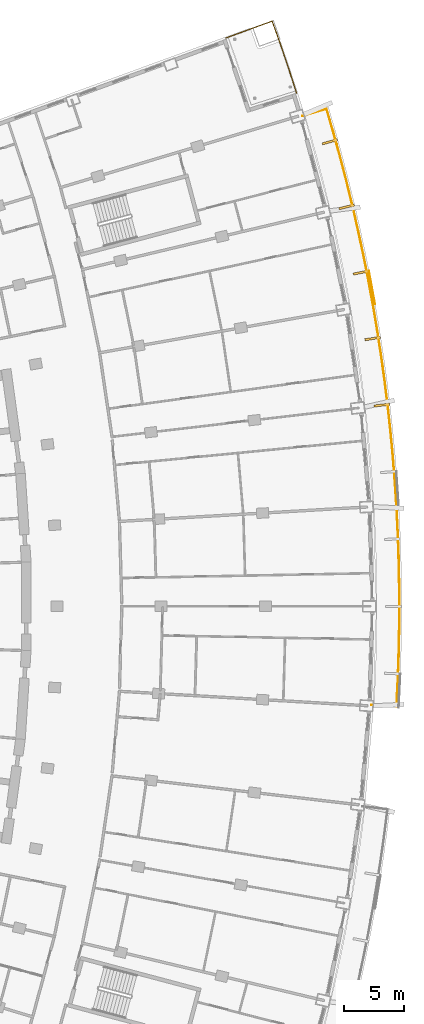
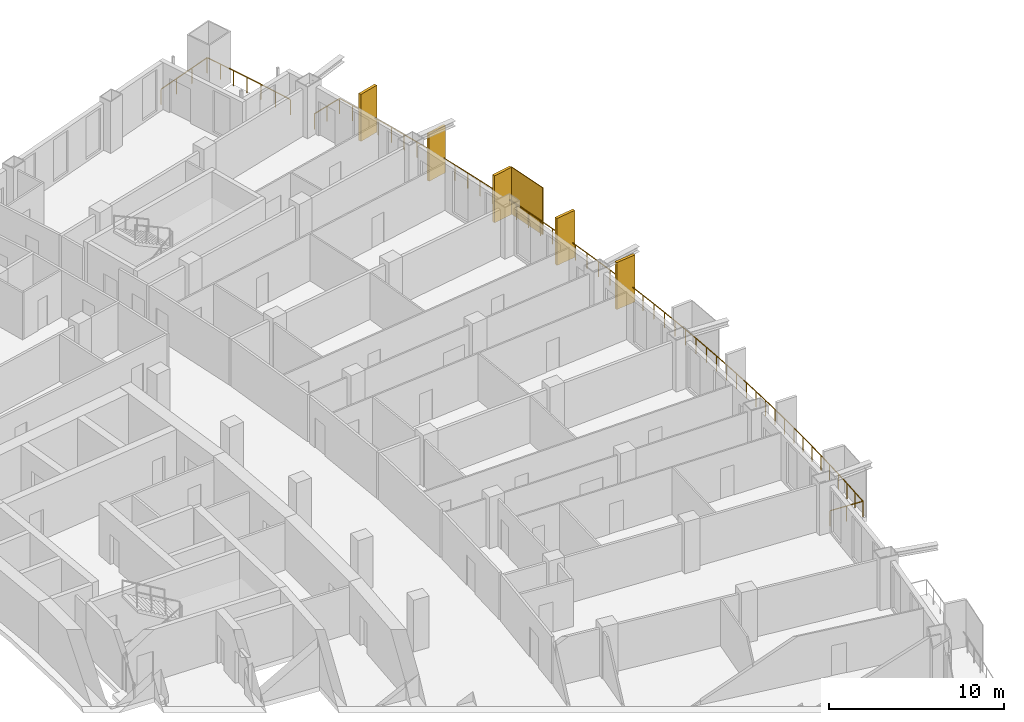
# One storey, part 25 of 25: 6 shading devices, 2 railings.
"""IFC4 building model written with IfcOpenShell, lengths in metres."""

import ifcopenshell
import ifcopenshell.guid

model = None  # the IFC model being written
_history = None  # IfcOwnerHistory: only IFC2X3 demands one
_inside = {}  # id of a spatial element -> (the spatial element, [elements in it])
_under = {}  # id of a project, library or spatial element -> (it, [spatial elements below it])
_declared = {}  # id of a project -> (the project, [libraries it declares])
_typed = {}  # id of a type object -> (the type object, [elements of that type])
_made_of = {}  # id of a material, layer set ... -> (it, [elements and type objects made of it])


def new_model(schema):
    """Start an empty IFC model of exactly this schema.

    Asked for "IFC4X3", IfcOpenShell would pick the latest addendum, in which some entities
    have other attributes; the version numbers below select the first issue.
    IFC2X3 requires an IfcOwnerHistory on every rooted entity: one is made here for all.
    """
    global model, _history
    if schema == "IFC4X3":
        model = ifcopenshell.file(schema_version=(4, 3, 0, 0))
    else:
        model = ifcopenshell.file(schema=schema)
    _inside.clear()
    _under.clear()
    _declared.clear()
    _typed.clear()
    _made_of.clear()
    _history = None
    if model.schema == "IFC2X3":
        org = make("IfcOrganization", Name="unknown")
        user = make(
            "IfcPersonAndOrganization",
            ThePerson=make("IfcPerson", FamilyName="unknown"),
            TheOrganization=org,
        )
        app = make(
            "IfcApplication",
            ApplicationDeveloper=org,
            Version="unknown",
            ApplicationFullName="unknown",
            ApplicationIdentifier="unknown",
        )
        _history = make(
            "IfcOwnerHistory",
            OwningUser=user,
            OwningApplication=app,
            ChangeAction="ADDED",
            CreationDate=0,
        )
    return model


def make(cls, **values):
    """One entity of the class cls with the attributes given. An attribute that is None is left unset."""
    return model.create_entity(
        cls, **{name: value for name, value in values.items() if value is not None}
    )


def rooted(cls, **values):
    """An entity with a GlobalId (a new one), such as an element, a storey or a relation."""
    return make(cls, GlobalId=ifcopenshell.guid.new(), OwnerHistory=_history, **values)


def si_unit(unit_type, name, prefix=None):
    """IfcSIUnit, for example si_unit("LENGTHUNIT", "METRE", prefix="MILLI")."""
    return make("IfcSIUnit", UnitType=unit_type, Prefix=prefix, Name=name)


def assignment(units):
    """IfcUnitAssignment: the units of a project."""
    return None if units is None else make("IfcUnitAssignment", Units=units)


def point(xyz):
    """IfcCartesianPoint."""
    return None if xyz is None else make("IfcCartesianPoint", Coordinates=xyz)


def direction(xyz):
    """IfcDirection."""
    return None if xyz is None else make("IfcDirection", DirectionRatios=xyz)


def frame(location, z_axis=None, x_axis=None):
    """IfcAxis2Placement3D, a coordinate frame: its origin and axes. An axis left out is left unset."""
    return make(
        "IfcAxis2Placement3D",
        Location=point(location),
        Axis=direction(z_axis),
        RefDirection=direction(x_axis),
    )


def frame_2d(location, x_axis=None):
    """IfcAxis2Placement2D, a coordinate frame in the plane: its origin and x axis."""
    return make(
        "IfcAxis2Placement2D", Location=point(location), RefDirection=direction(x_axis)
    )


def origin():
    """The frame at (0, 0, 0) with its axes left unset."""
    return frame((0.0, 0.0, 0.0))


def origin_2d():
    """The frame at (0, 0) in the plane with its x axis left unset."""
    return frame_2d((0.0, 0.0))


def place(relative_to, where):
    """IfcLocalPlacement: puts the frame where relative to a parent placement (None: the world)."""
    return make(
        "IfcLocalPlacement", PlacementRelTo=relative_to, RelativePlacement=where
    )


def context(
    kind, dimensions, precision=None, world=None, true_north=None, identifier=None
):
    """IfcGeometricRepresentationContext, for example the 3D "Model" context."""
    return make(
        "IfcGeometricRepresentationContext",
        ContextIdentifier=identifier,
        ContextType=kind,
        CoordinateSpaceDimension=dimensions,
        Precision=precision,
        WorldCoordinateSystem=world,
        TrueNorth=true_north,
    )


def subcontext(parent, identifier, kind, view, scale=None):
    """IfcGeometricRepresentationSubContext, for example "Body" below "Model"."""
    return make(
        "IfcGeometricRepresentationSubContext",
        ContextIdentifier=identifier,
        ContextType=kind,
        ParentContext=parent,
        TargetScale=scale,
        TargetView=view,
    )


def project(units=None, contexts=None):
    """IfcProject with its units and contexts."""
    return rooted(
        "IfcProject",
        Name="project",
        RepresentationContexts=contexts,
        UnitsInContext=assignment(units),
    )


def spatial(cls, under=None, at=None, **own):
    """A site, building, storey or space (cls), placed at a placement, below another one or the project."""
    s = rooted(cls, ObjectPlacement=at, **own)
    if under is not None:
        _under.setdefault(under.id(), (under, []))[1].append(s)
    return s


def profile(cls, at=None, kind="AREA", **sizes):
    """A parametric profile (cls). Its sizes go by their IFC names, for example OverallWidth=200.0."""
    return make(cls, ProfileType=kind, Position=at, **sizes)


def rectangle(**sizes):
    """IfcRectangleProfileDef."""
    return profile("IfcRectangleProfileDef", **sizes)


def extrude(swept, where, along, depth):
    """IfcExtrudedAreaSolid: the profile swept, set in the frame where, extruded along a direction by depth."""
    return make(
        "IfcExtrudedAreaSolid",
        SweptArea=swept,
        Position=where,
        ExtrudedDirection=direction(along),
        Depth=depth,
    )


def shape(context_of_items, identifier, shape_type, items):
    """IfcShapeRepresentation: the items that make up one representation, for example the "Body"."""
    return make(
        "IfcShapeRepresentation",
        ContextOfItems=context_of_items,
        RepresentationIdentifier=identifier,
        RepresentationType=shape_type,
        Items=items,
    )


def material(Name=None, Category=None):
    """IfcMaterial."""
    return make("IfcMaterial", Name=Name, Category=Category)


def layer(
    of_material, thickness, ventilated=None, Name=None, Category=None, Priority=None
):
    """IfcMaterialLayer: one layer of a wall or slab, of a material (None: an air gap)."""
    return make(
        "IfcMaterialLayer",
        Material=of_material,
        LayerThickness=thickness,
        IsVentilated=ventilated,
        Name=Name,
        Category=Category,
        Priority=Priority,
    )


def layer_set(layers, Name=None):
    """IfcMaterialLayerSet."""
    return make("IfcMaterialLayerSet", MaterialLayers=layers, LayerSetName=Name)


def made_of(thing, what):
    """Note that an element or type object is made of a material, layer set ...; save() writes the relation."""
    if what is not None:
        _made_of.setdefault(what.id(), (what, []))[1].append(thing)
    return thing


def type_object(cls, material=None, **own):
    """A type object (cls), such as IfcWallType, which elements share."""
    return made_of(rooted(cls, **own), material)


def element(
    cls,
    number,
    at=None,
    inside=None,
    cuts=None,
    type_object=None,
    material=None,
    context=None,
    identifier="Body",
    shape_type=None,
    held_by="IfcProductDefinitionShape",
    body=None,
    shapes=None,
    **own,
):
    """One element of the class cls, such as IfcWall. Its Tag is "e" and its number.

    at: its placement. inside: the storey or other place that contains it. cuts: it is an
    opening in that element (IfcRelVoidsElement). A single representation is given by context,
    identifier, shape_type and body (its items); several are given by shapes. held_by: the class
    of the entity that holds the representations. save() writes the other relations.
    """
    e = rooted(cls, Tag="e%d" % number, ObjectPlacement=at, **own)
    if body is not None:
        shapes = [shape(context, identifier, shape_type, body)]
    if shapes is not None:
        e.Representation = make(held_by, Representations=shapes)
    if inside is not None:
        _inside.setdefault(inside.id(), (inside, []))[1].append(e)
    if cuts is not None:
        rooted(
            "IfcRelVoidsElement", RelatingBuildingElement=cuts, RelatedOpeningElement=e
        )
    if type_object is not None:
        _typed.setdefault(type_object.id(), (type_object, []))[1].append(e)
    return made_of(e, material)


def aggregate(whole, parts):
    """IfcRelAggregates: a whole, such as a stair, and the parts it consists of."""
    return rooted("IfcRelAggregates", RelatingObject=whole, RelatedObjects=parts)


def save(model, path):
    """Write the relations noted so far, then the file.

    IfcRelAggregates (storeys below a building ...), IfcRelContainedInSpatialStructure (elements
    in a storey), IfcRelDefinesByType, IfcRelAssociatesMaterial and IfcRelDeclares: one each for
    every whole, place, type object, material and project.
    """
    for whole, parts in _under.values():
        aggregate(whole, parts)
    for where, things in _inside.values():
        rooted(
            "IfcRelContainedInSpatialStructure",
            RelatedElements=things,
            RelatingStructure=where,
        )
    for kind, things in _typed.values():
        rooted("IfcRelDefinesByType", RelatedObjects=things, RelatingType=kind)
    for what, things in _made_of.values():
        rooted("IfcRelAssociatesMaterial", RelatedObjects=things, RelatingMaterial=what)
    for by, libraries in _declared.values():
        rooted("IfcRelDeclares", RelatingContext=by, RelatedDefinitions=libraries)
    model.write(path)


model = new_model("IFC4")

# Units and contexts
model_context = context("Model", 3, precision=1e-05, world=origin(), true_north=direction((0.0, 1.0)))
body_context = subcontext(model_context, "Body", "Model", "MODEL_VIEW")
ifc_project = project(units=[si_unit("LENGTHUNIT", "METRE"), si_unit("AREAUNIT", "SQUARE_METRE"), si_unit("VOLUMEUNIT", "CUBIC_METRE"), si_unit("PLANEANGLEUNIT", "RADIAN"), si_unit("MASSUNIT", "GRAM", prefix="KILO")], contexts=[model_context])

# Site, building, storey
site_placement = place(None, origin())
site = spatial("IfcSite", under=ifc_project, at=site_placement, CompositionType="ELEMENT")
building_placement = place(site_placement, origin())
building = spatial("IfcBuilding", under=site, at=building_placement, Name="Alderwake Tower", CompositionType="ELEMENT")
storey_placement = place(building_placement, frame((0.0, 0.0, 86.0)))
storey = spatial("IfcBuildingStorey", under=building, at=storey_placement, Name="L20", CompositionType="ELEMENT", Elevation=86.0)

# Railings
ifc_material_1 = material(Name="Stainless steel 316 rail and posts", Category="steel")
railing_type = type_object("IfcRailingType", Name="Balcony guard 1100", PredefinedType="GUARDRAIL", material=ifc_material_1)
railing_1_placement = place(storey_placement, frame((61.9638671875, 52.80810546875, 0.0)))
element("IfcRailing", 1, at=railing_1_placement, inside=storey, type_object=railing_type, Name="Guard BF06", PredefinedType="GUARDRAIL", context=body_context, shape_type="SweptSolid", body=[
    extrude(rectangle(XDim=0.048095703125, YDim=0.048095703125, at=origin_2d()), frame((0.0, 0.0, 1.076171875), z_axis=(0.998335953918, -0.057665614667, 0.0), x_axis=(0.057665614667, 0.998335953918, 0.0)), (0.0, 0.0, 1.0), 2.099853515625),
    extrude(rectangle(XDim=0.048095703125, YDim=0.048095703125, at=origin_2d()), frame((2.096435546875, -0.12109375, 1.076171875), z_axis=(0.050666548811, 0.998715625607, 0.0), x_axis=(-0.998715625607, 0.050666548811, 0.0)), (0.0, 0.0, 1.0), 2.004638671875),
    extrude(rectangle(XDim=0.048095703125, YDim=0.048095703125, at=origin_2d()), frame((2.197998046875, 1.880859375, 1.076171875), z_axis=(0.036432316563, 0.999336122788, 0.0), x_axis=(-0.999336122788, 0.036432316563, 0.0)), (0.0, 0.0, 1.0), 2.104248046875),
    extrude(rectangle(XDim=0.048095703125, YDim=0.048095703125, at=origin_2d()), frame((2.274658203125, 3.983642578125, 1.076171875), z_axis=(0.021925570375, 0.999759605787, 0.0), x_axis=(-0.999759605787, 0.021925570375, 0.0)), (0.0, 0.0, 1.0), 2.1044921875),
    extrude(rectangle(XDim=0.048095703125, YDim=0.048095703125, at=origin_2d()), frame((2.32080078125, 6.087646484375, 1.076171875), z_axis=(0.007309237393, 0.999973287168, 0.0), x_axis=(-0.999973287168, 0.007309237393, 0.0)), (0.0, 0.0, 1.0), 2.104248046875),
    extrude(rectangle(XDim=0.048095703125, YDim=0.048095703125, at=origin_2d()), frame((2.336181640625, 8.19189453125, 1.076171875), z_axis=(-0.007309237393, 0.999973287168, 0.0), x_axis=(-0.999973287168, -0.007309237393, 0.0)), (0.0, 0.0, 1.0), 2.104248046875),
    extrude(rectangle(XDim=0.048095703125, YDim=0.048095703125, at=origin_2d()), frame((2.32080078125, 10.296142578125, 1.076171875), z_axis=(-0.021925570375, 0.999759605787, 0.0), x_axis=(-0.999759605787, -0.021925570375, 0.0)), (0.0, 0.0, 1.0), 2.1044921875),
    extrude(rectangle(XDim=0.048095703125, YDim=0.048095703125, at=origin_2d()), frame((2.274658203125, 12.400146484375, 1.076171875), z_axis=(-0.036432316563, 0.999336122788, 0.0), x_axis=(-0.999336122788, -0.036432316563, 0.0)), (0.0, 0.0, 1.0), 2.104248046875),
    extrude(rectangle(XDim=0.048095703125, YDim=0.048095703125, at=origin_2d()), frame((2.197998046875, 14.5029296875, 1.076171875), z_axis=(-0.050932877851, 0.998702078677, 0.0), x_axis=(-0.998702078677, -0.050932877851, 0.0)), (0.0, 0.0, 1.0), 2.104248046875),
    extrude(rectangle(XDim=0.048095703125, YDim=0.048095703125, at=origin_2d()), frame((2.0908203125, 16.6044921875, 1.076171875), z_axis=(-0.065656675921, 0.99784227256, 0.0), x_axis=(-0.99784227256, -0.065656675921, 0.0)), (0.0, 0.0, 1.0), 2.104736328125),
    extrude(rectangle(XDim=0.048095703125, YDim=0.048095703125, at=origin_2d()), frame((1.95263671875, 18.70458984375, 1.076171875), z_axis=(-0.080058805511, 0.996790142237, 0.0), x_axis=(-0.996790142237, -0.080058805511, 0.0)), (0.0, 0.0, 1.0), 2.104248046875),
    extrude(rectangle(XDim=0.048095703125, YDim=0.048095703125, at=origin_2d()), frame((1.7841796875, 20.802001953125, 1.076171875), z_axis=(-0.094666747409, 0.995509019012, 0.0), x_axis=(-0.995509019012, -0.094666747409, 0.0)), (0.0, 0.0, 1.0), 2.1044921875),
    extrude(rectangle(XDim=0.048095703125, YDim=0.048095703125, at=origin_2d()), frame((1.5849609375, 22.89697265625, 1.076171875), z_axis=(-0.109170827012, 0.994023003018, 0.0), x_axis=(-0.994023003018, -0.109170827012, 0.0)), (0.0, 0.0, 1.0), 2.1044921875),
    extrude(rectangle(XDim=0.048095703125, YDim=0.048095703125, at=origin_2d()), frame((1.355224609375, 24.98876953125, 1.076171875), z_axis=(-0.123677740732, 0.992322435727, 0.0), x_axis=(-0.992322435727, -0.123677740732, 0.0)), (0.0, 0.0, 1.0), 2.104248046875),
    extrude(rectangle(XDim=0.048095703125, YDim=0.048095703125, at=origin_2d()), frame((1.094970703125, 27.076904296875, 1.076171875), z_axis=(-0.138058412224, 0.990424088365, 0.0), x_axis=(-0.990424088365, -0.138058412224, 0.0)), (0.0, 0.0, 1.0), 2.1044921875),
    extrude(rectangle(XDim=0.048095703125, YDim=0.048095703125, at=origin_2d()), frame((0.804443359375, 29.1611328125, 1.076171875), z_axis=(-0.152554066346, 0.988295126388, 0.0), x_axis=(-0.988295126388, -0.152554066346, 0.0)), (0.0, 0.0, 1.0), 2.1044921875),
    extrude(rectangle(XDim=0.048095703125, YDim=0.048095703125, at=origin_2d()), frame((0.4833984375, 31.240966796875, 1.076171875), z_axis=(-0.166957213464, 0.985964141778, 0.0), x_axis=(-0.985964141778, -0.166957213464, 0.0)), (0.0, 0.0, 1.0), 2.104248046875),
    extrude(rectangle(XDim=0.048095703125, YDim=0.048095703125, at=origin_2d()), frame((0.132080078125, 33.315673828125, 1.076171875), z_axis=(-0.181212626515, 0.983443940442, 0.0), x_axis=(-0.983443940442, -0.181212626515, 0.0)), (0.0, 0.0, 1.0), 2.1044921875),
    extrude(rectangle(XDim=0.048095703125, YDim=0.048095703125, at=origin_2d()), frame((-0.249267578125, 35.38525390625, 1.076171875), z_axis=(-0.195602960633, 0.980683170954, 0.0), x_axis=(-0.980683170954, -0.195602960633, 0.0)), (0.0, 0.0, 1.0), 2.1044921875),
    extrude(rectangle(XDim=0.048095703125, YDim=0.048095703125, at=origin_2d()), frame((-0.660888671875, 37.448974609375, 1.076171875), z_axis=(-0.209885633333, 0.977725943668, 0.0), x_axis=(-0.977725943668, -0.209885633333, 0.0)), (0.0, 0.0, 1.0), 2.104248046875),
    extrude(rectangle(XDim=0.048095703125, YDim=0.048095703125, at=origin_2d()), frame((-1.1025390625, 39.50634765625, 1.076171875), z_axis=(-0.224147692921, 0.974555186615, 0.0), x_axis=(-0.974555186615, -0.224147692921, 0.0)), (0.0, 0.0, 1.0), 2.104248046875),
    extrude(rectangle(XDim=0.048095703125, YDim=0.048095703125, at=origin_2d()), frame((-1.57421875, 41.55712890625, 1.076171875), z_axis=(-0.238302054277, 0.971191088781, 0.0), x_axis=(-0.971191088781, -0.238302054277, 0.0)), (0.0, 0.0, 1.0), 2.104248046875),
    extrude(rectangle(XDim=0.048095703125, YDim=0.048095703125, at=origin_2d()), frame((-2.07568359375, 43.600830078125, 1.076171875), z_axis=(-0.252431341957, 0.967614808484, 0.0), x_axis=(-0.967614808484, -0.252431341957, 0.0)), (0.0, 0.0, 1.0), 2.1044921875),
    extrude(rectangle(XDim=0.048095703125, YDim=0.048095703125, at=origin_2d()), frame((-2.60693359375, 45.63720703125, 1.076171875), z_axis=(-0.266620451379, 0.963801605574, 0.0), x_axis=(-0.963801605574, -0.266620451379, 0.0)), (0.0, 0.0, 1.0), 2.104248046875),
    extrude(rectangle(XDim=0.048095703125, YDim=0.048095703125, at=origin_2d()), frame((-3.16796875, 47.665283203125, 1.076171875), z_axis=(-0.280154349247, 0.959954968005, 0.0), x_axis=(-0.959954968005, -0.280154349247, 0.0)), (0.0, 0.0, 1.0), 2.00439453125),
    extrude(rectangle(XDim=0.048095703125, YDim=0.048095703125, at=origin_2d()), frame((-3.7294921875, 49.58935546875, 1.076171875), z_axis=(-0.957986128201, -0.286814536198, 0.0), x_axis=(0.286814536198, -0.957986128201, 0.0)), (0.0, 0.0, 1.0), 2.099853515625),
    extrude(rectangle(XDim=0.0419921875, YDim=0.0419921875, at=origin_2d()), frame((0.0, 0.0, 0.0), z_axis=(0.0, 0.0, 1.0), x_axis=(0.998335953918, -0.057665614667, 0.0)), (0.0, 0.0, 1.0), 1.052001953125),
    extrude(rectangle(XDim=0.0419921875, YDim=0.0419921875, at=origin_2d()), frame((1.04833984375, -0.060546875, 0.0), z_axis=(0.0, 0.0, 1.0), x_axis=(0.998335953918, -0.057665614667, 0.0)), (0.0, 0.0, 1.0), 1.052001953125),
    extrude(rectangle(XDim=0.0419921875, YDim=0.0419921875, at=origin_2d()), frame((2.096435546875, -0.12109375, 0.0), z_axis=(0.0, 0.0, 1.0), x_axis=(0.050666548811, 0.998715625607, 0.0)), (0.0, 0.0, 1.0), 1.052001953125),
    extrude(rectangle(XDim=0.0419921875, YDim=0.0419921875, at=origin_2d()), frame((2.147216796875, 0.8798828125, 0.0), z_axis=(0.0, 0.0, 1.0), x_axis=(0.050666548811, 0.998715625607, 0.0)), (0.0, 0.0, 1.0), 1.052001953125),
    extrude(rectangle(XDim=0.0419921875, YDim=0.0419921875, at=origin_2d()), frame((2.197998046875, 1.880859375, 0.0), z_axis=(0.0, 0.0, 1.0), x_axis=(0.036432316563, 0.999336122788, 0.0)), (0.0, 0.0, 1.0), 1.052001953125),
    extrude(rectangle(XDim=0.0419921875, YDim=0.0419921875, at=origin_2d()), frame((2.236328125, 2.93212890625, 0.0), z_axis=(0.0, 0.0, 1.0), x_axis=(0.036432316563, 0.999336122788, 0.0)), (0.0, 0.0, 1.0), 1.052001953125),
    extrude(rectangle(XDim=0.0419921875, YDim=0.0419921875, at=origin_2d()), frame((2.274658203125, 3.983642578125, 0.0), z_axis=(0.0, 0.0, 1.0), x_axis=(0.021925570375, 0.999759605787, 0.0)), (0.0, 0.0, 1.0), 1.052001953125),
    extrude(rectangle(XDim=0.0419921875, YDim=0.0419921875, at=origin_2d()), frame((2.2978515625, 5.03564453125, 0.0), z_axis=(0.0, 0.0, 1.0), x_axis=(0.021925570375, 0.999759605787, 0.0)), (0.0, 0.0, 1.0), 1.052001953125),
    extrude(rectangle(XDim=0.0419921875, YDim=0.0419921875, at=origin_2d()), frame((2.32080078125, 6.087646484375, 0.0), z_axis=(0.0, 0.0, 1.0), x_axis=(0.007309237393, 0.999973287168, 0.0)), (0.0, 0.0, 1.0), 1.052001953125),
    extrude(rectangle(XDim=0.0419921875, YDim=0.0419921875, at=origin_2d()), frame((2.32861328125, 7.1396484375, 0.0), z_axis=(0.0, 0.0, 1.0), x_axis=(0.007309237393, 0.999973287168, 0.0)), (0.0, 0.0, 1.0), 1.052001953125),
    extrude(rectangle(XDim=0.0419921875, YDim=0.0419921875, at=origin_2d()), frame((2.336181640625, 8.19189453125, 0.0), z_axis=(0.0, 0.0, 1.0), x_axis=(-0.007309237393, 0.999973287168, 0.0)), (0.0, 0.0, 1.0), 1.052001953125),
    extrude(rectangle(XDim=0.0419921875, YDim=0.0419921875, at=origin_2d()), frame((2.32861328125, 9.244140625, 0.0), z_axis=(0.0, 0.0, 1.0), x_axis=(-0.007309237393, 0.999973287168, 0.0)), (0.0, 0.0, 1.0), 1.052001953125),
    extrude(rectangle(XDim=0.0419921875, YDim=0.0419921875, at=origin_2d()), frame((2.32080078125, 10.296142578125, 0.0), z_axis=(0.0, 0.0, 1.0), x_axis=(-0.021925570375, 0.999759605787, 0.0)), (0.0, 0.0, 1.0), 1.052001953125),
    extrude(rectangle(XDim=0.0419921875, YDim=0.0419921875, at=origin_2d()), frame((2.2978515625, 11.34814453125, 0.0), z_axis=(0.0, 0.0, 1.0), x_axis=(-0.021925570375, 0.999759605787, 0.0)), (0.0, 0.0, 1.0), 1.052001953125),
    extrude(rectangle(XDim=0.0419921875, YDim=0.0419921875, at=origin_2d()), frame((2.274658203125, 12.400146484375, 0.0), z_axis=(0.0, 0.0, 1.0), x_axis=(-0.036432316563, 0.999336122788, 0.0)), (0.0, 0.0, 1.0), 1.052001953125),
    extrude(rectangle(XDim=0.0419921875, YDim=0.0419921875, at=origin_2d()), frame((2.236328125, 13.45166015625, 0.0), z_axis=(0.0, 0.0, 1.0), x_axis=(-0.036432316563, 0.999336122788, 0.0)), (0.0, 0.0, 1.0), 1.052001953125),
    extrude(rectangle(XDim=0.0419921875, YDim=0.0419921875, at=origin_2d()), frame((2.197998046875, 14.5029296875, 0.0), z_axis=(0.0, 0.0, 1.0), x_axis=(-0.050932877851, 0.998702078677, 0.0)), (0.0, 0.0, 1.0), 1.052001953125),
    extrude(rectangle(XDim=0.0419921875, YDim=0.0419921875, at=origin_2d()), frame((2.14453125, 15.5537109375, 0.0), z_axis=(0.0, 0.0, 1.0), x_axis=(-0.050932877851, 0.998702078677, 0.0)), (0.0, 0.0, 1.0), 1.052001953125),
    extrude(rectangle(XDim=0.0419921875, YDim=0.0419921875, at=origin_2d()), frame((2.0908203125, 16.6044921875, 0.0), z_axis=(0.0, 0.0, 1.0), x_axis=(-0.065656675921, 0.99784227256, 0.0)), (0.0, 0.0, 1.0), 1.052001953125),
    extrude(rectangle(XDim=0.0419921875, YDim=0.0419921875, at=origin_2d()), frame((2.021728515625, 17.654541015625, 0.0), z_axis=(0.0, 0.0, 1.0), x_axis=(-0.065656675921, 0.99784227256, 0.0)), (0.0, 0.0, 1.0), 1.052001953125),
    extrude(rectangle(XDim=0.0419921875, YDim=0.0419921875, at=origin_2d()), frame((1.95263671875, 18.70458984375, 0.0), z_axis=(0.0, 0.0, 1.0), x_axis=(-0.080058805511, 0.996790142237, 0.0)), (0.0, 0.0, 1.0), 1.052001953125),
    extrude(rectangle(XDim=0.0419921875, YDim=0.0419921875, at=origin_2d()), frame((1.868408203125, 19.75341796875, 0.0), z_axis=(0.0, 0.0, 1.0), x_axis=(-0.080058805511, 0.996790142237, 0.0)), (0.0, 0.0, 1.0), 1.052001953125),
    extrude(rectangle(XDim=0.0419921875, YDim=0.0419921875, at=origin_2d()), frame((1.7841796875, 20.802001953125, 0.0), z_axis=(0.0, 0.0, 1.0), x_axis=(-0.094666747409, 0.995509019012, 0.0)), (0.0, 0.0, 1.0), 1.052001953125),
    extrude(rectangle(XDim=0.0419921875, YDim=0.0419921875, at=origin_2d()), frame((1.6845703125, 21.849609375, 0.0), z_axis=(0.0, 0.0, 1.0), x_axis=(-0.094666747409, 0.995509019012, 0.0)), (0.0, 0.0, 1.0), 1.052001953125),
    extrude(rectangle(XDim=0.0419921875, YDim=0.0419921875, at=origin_2d()), frame((1.5849609375, 22.89697265625, 0.0), z_axis=(0.0, 0.0, 1.0), x_axis=(-0.109170827012, 0.994023003018, 0.0)), (0.0, 0.0, 1.0), 1.052001953125),
    extrude(rectangle(XDim=0.0419921875, YDim=0.0419921875, at=origin_2d()), frame((1.47021484375, 23.94287109375, 0.0), z_axis=(0.0, 0.0, 1.0), x_axis=(-0.109170827012, 0.994023003018, 0.0)), (0.0, 0.0, 1.0), 1.052001953125),
    extrude(rectangle(XDim=0.0419921875, YDim=0.0419921875, at=origin_2d()), frame((1.355224609375, 24.98876953125, 0.0), z_axis=(0.0, 0.0, 1.0), x_axis=(-0.123677740732, 0.992322435727, 0.0)), (0.0, 0.0, 1.0), 1.052001953125),
    extrude(rectangle(XDim=0.0419921875, YDim=0.0419921875, at=origin_2d()), frame((1.22509765625, 26.03271484375, 0.0), z_axis=(0.0, 0.0, 1.0), x_axis=(-0.123677740732, 0.992322435727, 0.0)), (0.0, 0.0, 1.0), 1.052001953125),
    extrude(rectangle(XDim=0.0419921875, YDim=0.0419921875, at=origin_2d()), frame((1.094970703125, 27.076904296875, 0.0), z_axis=(0.0, 0.0, 1.0), x_axis=(-0.138058412224, 0.990424088365, 0.0)), (0.0, 0.0, 1.0), 1.052001953125),
    extrude(rectangle(XDim=0.0419921875, YDim=0.0419921875, at=origin_2d()), frame((0.94970703125, 28.119140625, 0.0), z_axis=(0.0, 0.0, 1.0), x_axis=(-0.138058412224, 0.990424088365, 0.0)), (0.0, 0.0, 1.0), 1.052001953125),
    extrude(rectangle(XDim=0.0419921875, YDim=0.0419921875, at=origin_2d()), frame((0.804443359375, 29.1611328125, 0.0), z_axis=(0.0, 0.0, 1.0), x_axis=(-0.152554066346, 0.988295126388, 0.0)), (0.0, 0.0, 1.0), 1.052001953125),
    extrude(rectangle(XDim=0.0419921875, YDim=0.0419921875, at=origin_2d()), frame((0.64404296875, 30.201171875, 0.0), z_axis=(0.0, 0.0, 1.0), x_axis=(-0.152554066346, 0.988295126388, 0.0)), (0.0, 0.0, 1.0), 1.052001953125),
    extrude(rectangle(XDim=0.0419921875, YDim=0.0419921875, at=origin_2d()), frame((0.4833984375, 31.240966796875, 0.0), z_axis=(0.0, 0.0, 1.0), x_axis=(-0.166957213464, 0.985964141778, 0.0)), (0.0, 0.0, 1.0), 1.052001953125),
    extrude(rectangle(XDim=0.0419921875, YDim=0.0419921875, at=origin_2d()), frame((0.3076171875, 32.2783203125, 0.0), z_axis=(0.0, 0.0, 1.0), x_axis=(-0.166957213464, 0.985964141778, 0.0)), (0.0, 0.0, 1.0), 1.052001953125),
    extrude(rectangle(XDim=0.0419921875, YDim=0.0419921875, at=origin_2d()), frame((0.132080078125, 33.315673828125, 0.0), z_axis=(0.0, 0.0, 1.0), x_axis=(-0.181212626515, 0.983443940442, 0.0)), (0.0, 0.0, 1.0), 1.052001953125),
    extrude(rectangle(XDim=0.0419921875, YDim=0.0419921875, at=origin_2d()), frame((-0.05859375, 34.3505859375, 0.0), z_axis=(0.0, 0.0, 1.0), x_axis=(-0.181212626515, 0.983443940442, 0.0)), (0.0, 0.0, 1.0), 1.052001953125),
    extrude(rectangle(XDim=0.0419921875, YDim=0.0419921875, at=origin_2d()), frame((-0.249267578125, 35.38525390625, 0.0), z_axis=(0.0, 0.0, 1.0), x_axis=(-0.195602960633, 0.980683170954, 0.0)), (0.0, 0.0, 1.0), 1.052001953125),
    extrude(rectangle(XDim=0.0419921875, YDim=0.0419921875, at=origin_2d()), frame((-0.455078125, 36.4169921875, 0.0), z_axis=(0.0, 0.0, 1.0), x_axis=(-0.195602960633, 0.980683170954, 0.0)), (0.0, 0.0, 1.0), 1.052001953125),
    extrude(rectangle(XDim=0.0419921875, YDim=0.0419921875, at=origin_2d()), frame((-0.660888671875, 37.448974609375, 0.0), z_axis=(0.0, 0.0, 1.0), x_axis=(-0.209885633333, 0.977725943668, 0.0)), (0.0, 0.0, 1.0), 1.052001953125),
    extrude(rectangle(XDim=0.0419921875, YDim=0.0419921875, at=origin_2d()), frame((-0.8818359375, 38.4775390625, 0.0), z_axis=(0.0, 0.0, 1.0), x_axis=(-0.209885633333, 0.977725943668, 0.0)), (0.0, 0.0, 1.0), 1.052001953125),
    extrude(rectangle(XDim=0.0419921875, YDim=0.0419921875, at=origin_2d()), frame((-1.1025390625, 39.50634765625, 0.0), z_axis=(0.0, 0.0, 1.0), x_axis=(-0.224147692921, 0.974555186615, 0.0)), (0.0, 0.0, 1.0), 1.052001953125),
    extrude(rectangle(XDim=0.0419921875, YDim=0.0419921875, at=origin_2d()), frame((-1.33837890625, 40.53173828125, 0.0), z_axis=(0.0, 0.0, 1.0), x_axis=(-0.224147692921, 0.974555186615, 0.0)), (0.0, 0.0, 1.0), 1.052001953125),
    extrude(rectangle(XDim=0.0419921875, YDim=0.0419921875, at=origin_2d()), frame((-1.57421875, 41.55712890625, 0.0), z_axis=(0.0, 0.0, 1.0), x_axis=(-0.238302054277, 0.971191088781, 0.0)), (0.0, 0.0, 1.0), 1.052001953125),
    extrude(rectangle(XDim=0.0419921875, YDim=0.0419921875, at=origin_2d()), frame((-1.824951171875, 42.5791015625, 0.0), z_axis=(0.0, 0.0, 1.0), x_axis=(-0.238302054277, 0.971191088781, 0.0)), (0.0, 0.0, 1.0), 1.052001953125),
    extrude(rectangle(XDim=0.0419921875, YDim=0.0419921875, at=origin_2d()), frame((-2.07568359375, 43.600830078125, 0.0), z_axis=(0.0, 0.0, 1.0), x_axis=(-0.252431341957, 0.967614808484, 0.0)), (0.0, 0.0, 1.0), 1.052001953125),
    extrude(rectangle(XDim=0.0419921875, YDim=0.0419921875, at=origin_2d()), frame((-2.34130859375, 44.619140625, 0.0), z_axis=(0.0, 0.0, 1.0), x_axis=(-0.252431341957, 0.967614808484, 0.0)), (0.0, 0.0, 1.0), 1.052001953125),
    extrude(rectangle(XDim=0.0419921875, YDim=0.0419921875, at=origin_2d()), frame((-2.60693359375, 45.63720703125, 0.0), z_axis=(0.0, 0.0, 1.0), x_axis=(-0.266620451379, 0.963801605574, 0.0)), (0.0, 0.0, 1.0), 1.052001953125),
    extrude(rectangle(XDim=0.0419921875, YDim=0.0419921875, at=origin_2d()), frame((-2.887451171875, 46.6513671875, 0.0), z_axis=(0.0, 0.0, 1.0), x_axis=(-0.266620451379, 0.963801605574, 0.0)), (0.0, 0.0, 1.0), 1.052001953125),
    extrude(rectangle(XDim=0.0419921875, YDim=0.0419921875, at=origin_2d()), frame((-3.16796875, 47.665283203125, 0.0), z_axis=(0.0, 0.0, 1.0), x_axis=(-0.280154349247, 0.959954968005, 0.0)), (0.0, 0.0, 1.0), 1.052001953125),
    extrude(rectangle(XDim=0.0419921875, YDim=0.0419921875, at=origin_2d()), frame((-3.44873046875, 48.62744140625, 0.0), z_axis=(0.0, 0.0, 1.0), x_axis=(-0.280154349247, 0.959954968005, 0.0)), (0.0, 0.0, 1.0), 1.052001953125),
    extrude(rectangle(XDim=0.0419921875, YDim=0.0419921875, at=origin_2d()), frame((-3.7294921875, 49.58935546875, 0.0), z_axis=(0.0, 0.0, 1.0), x_axis=(-0.957986128201, -0.286814536198, 0.0)), (0.0, 0.0, 1.0), 1.052001953125),
    extrude(rectangle(XDim=0.0419921875, YDim=0.0419921875, at=origin_2d()), frame((-4.7353515625, 49.2880859375, 0.0), z_axis=(0.0, 0.0, 1.0), x_axis=(-0.957986128201, -0.286814536198, 0.0)), (0.0, 0.0, 1.0), 1.052001953125),
    extrude(rectangle(XDim=0.0419921875, YDim=0.0419921875, at=origin_2d()), frame((-5.7412109375, 48.987060546875, 0.0), z_axis=(0.0, 0.0, 1.0), x_axis=(-0.957986128201, -0.286814536198, 0.0)), (0.0, 0.0, 1.0), 1.052001953125),
])
railing_2_placement = place(storey_placement, frame((55.739013671875, 103.710693359375, 0.0)))
element("IfcRailing", 2, at=railing_2_placement, inside=storey, type_object=railing_type, Name="Guard terrace FN", PredefinedType="GUARDRAIL", context=body_context, shape_type="SweptSolid", body=[
    extrude(rectangle(XDim=0.048095703125, YDim=0.048095703125, at=origin_2d()), frame((0.0, 0.0, 1.076171875), z_axis=(-0.307748860356, 0.9514676237, 0.0), x_axis=(-0.9514676237, -0.307748860356, 0.0)), (0.0, 0.0, 1.0), 2.275146484375),
    extrude(rectangle(XDim=0.048095703125, YDim=0.048095703125, at=origin_2d()), frame((-0.7001953125, 2.164794921875, 1.076171875), z_axis=(-0.322257067834, 0.946652197077, 0.0), x_axis=(-0.946652197077, -0.322257067834, 0.0)), (0.0, 0.0, 1.0), 2.074951171875),
    extrude(rectangle(XDim=0.048095703125, YDim=0.048095703125, at=origin_2d()), frame((-1.368896484375, 4.129150390625, 1.076171875), z_axis=(-0.335702093232, 0.94196820785, 0.0), x_axis=(-0.94196820785, -0.335702093232, 0.0)), (0.0, 0.0, 1.0), 1.975341796875),
    extrude(rectangle(XDim=0.048095703125, YDim=0.048095703125, at=origin_2d()), frame((-2.031982421875, 5.98974609375, 1.076171875), z_axis=(-0.939605522223, -0.34225934992, 0.0), x_axis=(0.34225934992, -0.939605522223, 0.0)), (0.0, 0.0, 1.0), 4.10009765625),
    extrude(rectangle(XDim=0.0419921875, YDim=0.0419921875, at=origin_2d()), frame((0.0, 0.0, 0.0), z_axis=(0.0, 0.0, 1.0), x_axis=(-0.307748860356, 0.9514676237, 0.0)), (0.0, 0.0, 1.0), 1.052001953125),
    extrude(rectangle(XDim=0.0419921875, YDim=0.0419921875, at=origin_2d()), frame((-0.35009765625, 1.08251953125, 0.0), z_axis=(0.0, 0.0, 1.0), x_axis=(-0.307748860356, 0.9514676237, 0.0)), (0.0, 0.0, 1.0), 1.052001953125),
    extrude(rectangle(XDim=0.0419921875, YDim=0.0419921875, at=origin_2d()), frame((-0.7001953125, 2.164794921875, 0.0), z_axis=(0.0, 0.0, 1.0), x_axis=(-0.322257067834, 0.946652197077, 0.0)), (0.0, 0.0, 1.0), 1.052001953125),
    extrude(rectangle(XDim=0.0419921875, YDim=0.0419921875, at=origin_2d()), frame((-1.03466796875, 3.14697265625, 0.0), z_axis=(0.0, 0.0, 1.0), x_axis=(-0.322257067834, 0.946652197077, 0.0)), (0.0, 0.0, 1.0), 1.052001953125),
    extrude(rectangle(XDim=0.0419921875, YDim=0.0419921875, at=origin_2d()), frame((-1.368896484375, 4.129150390625, 0.0), z_axis=(0.0, 0.0, 1.0), x_axis=(-0.335702093232, 0.94196820785, 0.0)), (0.0, 0.0, 1.0), 1.052001953125),
    extrude(rectangle(XDim=0.0419921875, YDim=0.0419921875, at=origin_2d()), frame((-1.700439453125, 5.0595703125, 0.0), z_axis=(0.0, 0.0, 1.0), x_axis=(-0.335702093232, 0.94196820785, 0.0)), (0.0, 0.0, 1.0), 1.052001953125),
    extrude(rectangle(XDim=0.0419921875, YDim=0.0419921875, at=origin_2d()), frame((-2.031982421875, 5.98974609375, 0.0), z_axis=(0.0, 0.0, 1.0), x_axis=(-0.939605522223, -0.34225934992, 0.0)), (0.0, 0.0, 1.0), 1.052001953125),
    extrude(rectangle(XDim=0.0419921875, YDim=0.0419921875, at=origin_2d()), frame((-3.316162109375, 5.52197265625, 0.0), z_axis=(0.0, 0.0, 1.0), x_axis=(-0.939605522223, -0.34225934992, 0.0)), (0.0, 0.0, 1.0), 1.052001953125),
    extrude(rectangle(XDim=0.0419921875, YDim=0.0419921875, at=origin_2d()), frame((-4.600341796875, 5.05419921875, 0.0), z_axis=(0.0, 0.0, 1.0), x_axis=(-0.939605522223, -0.34225934992, 0.0)), (0.0, 0.0, 1.0), 1.052001953125),
    extrude(rectangle(XDim=0.0419921875, YDim=0.0419921875, at=origin_2d()), frame((-5.884521484375, 4.58642578125, 0.0), z_axis=(0.0, 0.0, 1.0), x_axis=(-0.939605522223, -0.34225934992, 0.0)), (0.0, 0.0, 1.0), 1.052001953125),
])

# Shading devices
ifc_material_2 = material(Name="Bronze anodised aluminium", Category="aluminium")
ifc_layer_1 = layer(ifc_material_2, 0.179931640625)
ifc_layer_set_1 = layer_set([ifc_layer_1], Name="Facade fin 1300")
shading_device_type_1 = type_object("IfcShadingDeviceType", Name="Facade fin 1300", PredefinedType="USERDEFINED", material=ifc_layer_set_1)
for number, where, z_axis, x_axis, name in (
    (3, (62.822021484375, 77.743408203125, 0.0), (0.0, 0.0, 1.0), (0.993198315083, 0.116434990084, 0.0), "Fin"),
    (4, (62.062744140625, 83.28515625, 0.0), (0.0, 0.0, 1.0), (0.987918787879, 0.154972476771, 0.0), "Fin"),
    (5, (61.09130859375, 88.779052734375, 0.0), (0.0, 0.0, 1.0), (0.981163751315, 0.193177879441, 0.0), "Fin"),
    (6, (59.904296875, 94.2451171875, 0.0), (0.0, 0.0, 1.0), (0.972908790564, 0.231189284448, 0.0), "Fin"),
    (7, (58.505615234375, 99.660888671875, 0.0), (0.0, 0.0, 1.0), (0.96318180783, 0.268850897459, 0.0), "Fin"),
):
    element("IfcShadingDevice", number, at=place(storey_placement, frame(where, z_axis=z_axis, x_axis=x_axis)), inside=storey, type_object=shading_device_type_1, Name=name, ObjectType="FIN", PredefinedType="USERDEFINED", context=body_context, shape_type="SweptSolid", body=[
        extrude(rectangle(XDim=1.300048828125, YDim=0.179931640625, at=origin_2d()), origin(), (0.0, 0.0, 1.0), 3.280029296875),
    ])
ifc_material_3 = material(Name="Perforated bronze anodised aluminium", Category="aluminium")
ifc_layer_2 = layer(ifc_material_3, 0.050048828125)
ifc_layer_set_2 = layer_set([ifc_layer_2], Name="Perforated screen panel")
shading_device_type_2 = type_object("IfcShadingDeviceType", Name="Perforated screen panel", PredefinedType="USERDEFINED", material=ifc_layer_set_2)
shading_device_placement = place(storey_placement, frame((62.010986328125, 87.53173828125, 0.0), z_axis=(0.0, 0.0, 1.0), x_axis=(0.982991488043, 0.183651121519, 0.0)))
element("IfcShadingDevice", 8, at=shading_device_placement, inside=storey, type_object=shading_device_type_2, Name="Screen panel", ObjectType="SCREEN", PredefinedType="USERDEFINED", context=body_context, shape_type="SweptSolid", body=[
    extrude(rectangle(XDim=0.050048828125, YDim=2.802734375, at=origin_2d()), origin(), (0.0, 0.0, 1.0), 3.280029296875),
])

save(model, "model.ifc")
